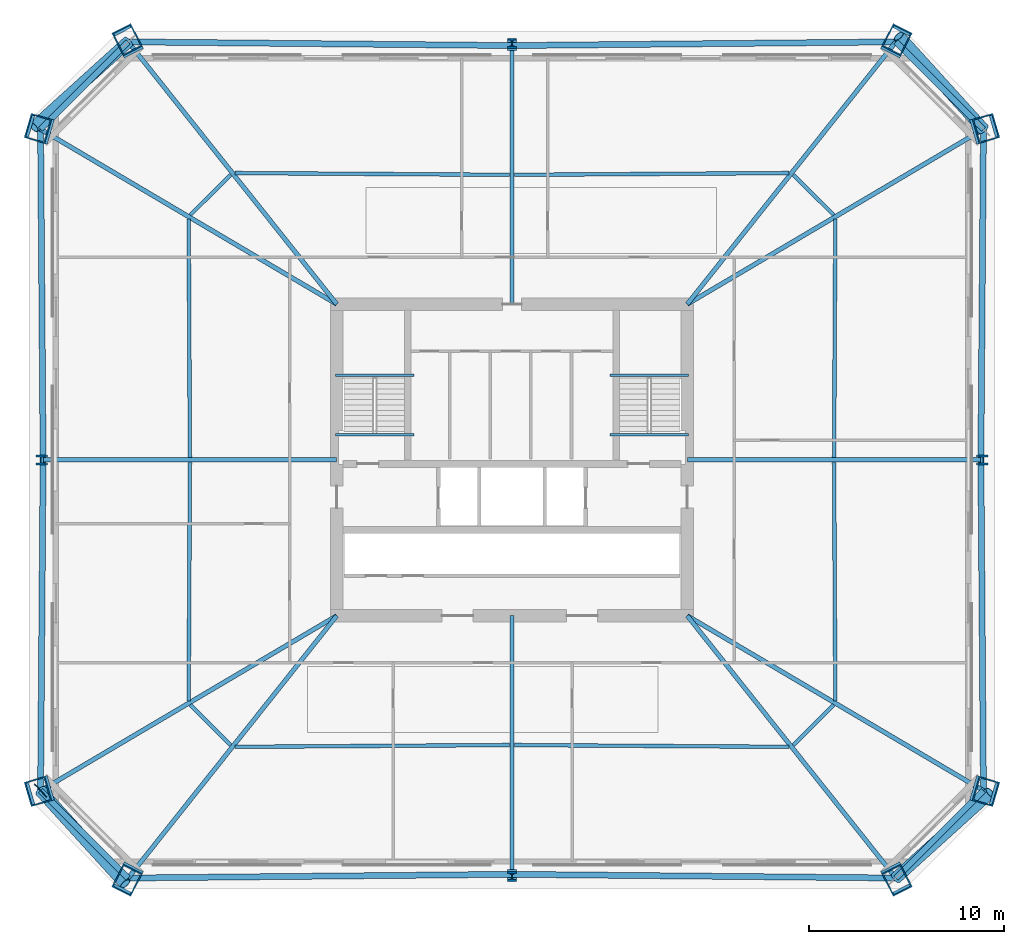
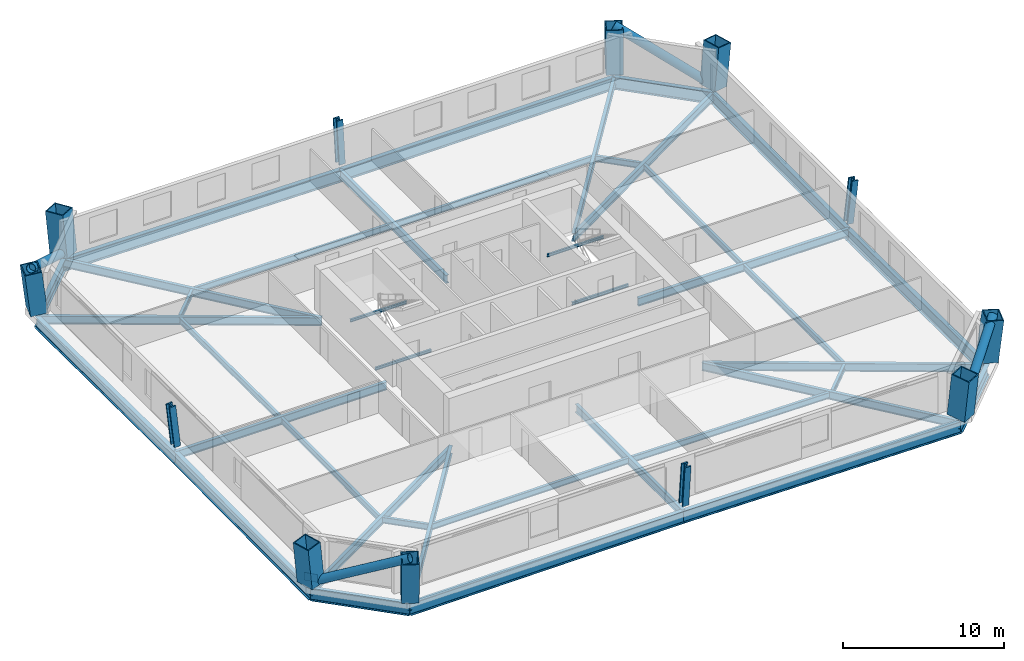
# One storey, part 1 of 7: 40 beams, 12 columns, 4 members, 1 plate.
"""IFC4 building model written with IfcOpenShell, lengths in metres."""

from ifc_helpers import new_model, si_unit, direction, frame, origin, origin_2d, place, context, subcontext, project, spatial, rectangle, hollow_rectangle, hollow_circle, i_section, extrude, material, layer, layer_set, material_profile, profile_set, type_object, element, save


model = new_model("IFC4")

# Units and contexts
model_context = context("Model", 3, precision=1e-05, world=origin(), true_north=direction((0.0, 1.0)))
body_context = subcontext(model_context, "Body", "Model", "MODEL_VIEW")
ifc_project = project(units=[si_unit("LENGTHUNIT", "METRE"), si_unit("AREAUNIT", "SQUARE_METRE"), si_unit("VOLUMEUNIT", "CUBIC_METRE"), si_unit("PLANEANGLEUNIT", "RADIAN"), si_unit("MASSUNIT", "GRAM", prefix="KILO")], contexts=[model_context])

# Site, building, storey
site_placement = place(None, origin())
site = spatial("IfcSite", under=ifc_project, at=site_placement, CompositionType="ELEMENT")
building_placement = place(site_placement, origin())
building = spatial("IfcBuilding", under=site, at=building_placement, Name="Caelvoria Tower", CompositionType="ELEMENT")
storey_placement = place(building_placement, frame((0.0, 0.0, 35.199951171875)))
storey = spatial("IfcBuildingStorey", under=building, at=storey_placement, Name="L08", CompositionType="ELEMENT", Elevation=35.199951171875)

# Columns
ifc_material_1 = material(Name="Structural Steel ASTM A913 Gr.65", Category="steel")
ifc_material_profile_1 = material_profile(ifc_material_1, i_section(OverallWidth=0.43896484375, OverallDepth=0.513916015625, WebThickness=0.059814453125, FlangeThickness=0.096923828125, FilletRadius=0.02490234375, at=origin_2d()), Name="Structural Steel ASTM A913 Gr.65")
ifc_profile_set_1 = profile_set([ifc_material_profile_1], Name="W360X818 - Structural Steel ASTM A913 Gr.65")
column_type_1 = type_object("IfcColumnType", Name="Heavy Frame Column W360X818", PredefinedType="COLUMN", material=ifc_profile_set_1)
column_1_placement = place(storey_placement, frame((46.0, 10.719970703125, 0.0), z_axis=(0.0, -0.094885603902, 0.995488182839), x_axis=(1.0, 0.0, 0.0)))
element("IfcColumn", 1, at=column_1_placement, inside=storey, type_object=column_type_1, Name="Perimeter Megaframe Column L08-P01", PredefinedType="COLUMN", context=body_context, shape_type="SweptSolid", body=[
    extrude(i_section(OverallWidth=0.43896484375, OverallDepth=0.513916015625, WebThickness=0.059814453125, FlangeThickness=0.096923828125, FilletRadius=0.02490234375, at=origin_2d()), origin(), (0.0, 0.0, 1.0), 3.162109375),
])
column_2_placement = place(storey_placement, frame((70.080078125, 32.0, 0.0), z_axis=(0.11045690633, 0.0, 0.993880914317), x_axis=(-0.993880914317, 0.0, 0.11045690633)))
element("IfcColumn", 2, at=column_2_placement, inside=storey, type_object=column_type_1, Name="Perimeter Megaframe Column L08-P04", PredefinedType="COLUMN", context=body_context, shape_type="SweptSolid", body=[
    extrude(i_section(OverallWidth=0.43896484375, OverallDepth=0.513916015625, WebThickness=0.059814453125, FlangeThickness=0.096923828125, FilletRadius=0.02490234375, at=origin_2d()), origin(), (0.0, 0.0, 1.0), 3.167236328125),
])
column_3_placement = place(storey_placement, frame((46.0, 53.280029296875, 0.0), z_axis=(0.0, 0.094885603902, 0.995488182839), x_axis=(-1.0, 0.0, 0.0)))
element("IfcColumn", 3, at=column_3_placement, inside=storey, type_object=column_type_1, Name="Perimeter Megaframe Column L08-P07", PredefinedType="COLUMN", context=body_context, shape_type="SweptSolid", body=[
    extrude(i_section(OverallWidth=0.43896484375, OverallDepth=0.513916015625, WebThickness=0.059814453125, FlangeThickness=0.096923828125, FilletRadius=0.02490234375, at=origin_2d()), origin(), (0.0, 0.0, 1.0), 3.162109375),
])
column_4_placement = place(storey_placement, frame((21.919921875, 32.0, 0.0), z_axis=(-0.11045690633, 0.0, 0.993880914317), x_axis=(0.993880914317, 0.0, 0.11045690633)))
element("IfcColumn", 4, at=column_4_placement, inside=storey, type_object=column_type_1, Name="Perimeter Megaframe Column L08-P10", PredefinedType="COLUMN", context=body_context, shape_type="SweptSolid", body=[
    extrude(i_section(OverallWidth=0.43896484375, OverallDepth=0.513916015625, WebThickness=0.059814453125, FlangeThickness=0.096923828125, FilletRadius=0.02490234375, at=origin_2d()), origin(), (0.0, 0.0, 1.0), 3.167236328125),
])
ifc_material_2 = material(Name="Structural Steel ASTM A572 Gr.50", Category="steel")
ifc_material_profile_2 = material_profile(ifc_material_2, hollow_rectangle(XDim=1.10009765625, YDim=1.300048828125, WallThickness=0.070068359375, at=origin_2d()), Name="Structural Steel ASTM A572 Gr.50")
ifc_profile_set_2 = profile_set([ifc_material_profile_2], Name="BOX1300X1100X70 - Structural Steel ASTM A572 Gr.50")
column_type_2 = type_object("IfcColumnType", Name="Mega Box Column 1300x1100x70", PredefinedType="COLUMN", material=ifc_profile_set_2)
for number, where, z_axis, x_axis, name in (
    (5, (26.287109375, 10.530517578125, 0.0), (-0.047968316961, -0.09439424431, 0.994378583442), (0.891494829719, -0.453030869351, 0.0), "Perimeter Megaframe Column L08-P00"),
    (6, (65.712890625, 10.530517578125, 0.0), (0.047968316961, -0.09439424431, 0.994378583442), (0.891494829719, 0.453030869351, 0.0), "Perimeter Megaframe Column L08-P02"),
):
    element("IfcColumn", number, at=place(storey_placement, frame(where, z_axis=z_axis, x_axis=x_axis)), inside=storey, type_object=column_type_2, Name=name, PredefinedType="COLUMN", context=body_context, shape_type="SweptSolid", body=[
        extrude(hollow_rectangle(XDim=1.10009765625, YDim=1.300048828125, WallThickness=0.070068359375, at=origin_2d()), origin(), (0.0, 0.0, 1.0), 3.165771484375),
    ])
for number, where, z_axis, x_axis, name in (
    (7, (70.210693359375, 15.013427734375, 0.0), (0.10994269781, -0.032281703141, 0.993413556803), (-0.953174231432, 0.279873863329, 0.114584052814), "Perimeter Megaframe Column L08-P03"),
    (8, (70.210693359375, 48.986572265625, 0.0), (0.10994269781, 0.032281703141, 0.993413556803), (-0.953174231432, -0.279873863329, 0.114584052814), "Perimeter Megaframe Column L08-P05"),
):
    element("IfcColumn", number, at=place(storey_placement, frame(where, z_axis=z_axis, x_axis=x_axis)), inside=storey, type_object=column_type_2, Name=name, PredefinedType="COLUMN", context=body_context, shape_type="SweptSolid", body=[
        extrude(hollow_rectangle(XDim=1.10009765625, YDim=1.300048828125, WallThickness=0.070068359375, at=origin_2d()), origin(), (0.0, 0.0, 1.0), 3.168701171875),
    ])
for number, where, z_axis, x_axis, name in (
    (9, (65.712890625, 53.469482421875, 0.0), (0.047968316961, 0.09439424431, 0.994378583442), (-0.891494829719, 0.453030869351, 0.0), "Perimeter Megaframe Column L08-P06"),
    (10, (26.287109375, 53.469482421875, 0.0), (-0.047968316961, 0.09439424431, 0.994378583442), (-0.891494829719, -0.453030869351, 0.0), "Perimeter Megaframe Column L08-P08"),
):
    element("IfcColumn", number, at=place(storey_placement, frame(where, z_axis=z_axis, x_axis=x_axis)), inside=storey, type_object=column_type_2, Name=name, PredefinedType="COLUMN", context=body_context, shape_type="SweptSolid", body=[
        extrude(hollow_rectangle(XDim=1.10009765625, YDim=1.300048828125, WallThickness=0.070068359375, at=origin_2d()), origin(), (0.0, 0.0, 1.0), 3.165771484375),
    ])
for number, where, z_axis, x_axis, name in (
    (11, (21.789306640625, 48.986572265625, 0.0), (-0.10994269781, 0.032281703141, 0.993413556803), (0.953174231432, -0.279873863329, 0.114584052814), "Perimeter Megaframe Column L08-P09"),
    (12, (21.789306640625, 15.013427734375, 0.0), (-0.10994269781, -0.032281703141, 0.993413556803), (0.953174231432, 0.279873863329, 0.114584052814), "Perimeter Megaframe Column L08-P11"),
):
    element("IfcColumn", number, at=place(storey_placement, frame(where, z_axis=z_axis, x_axis=x_axis)), inside=storey, type_object=column_type_2, Name=name, PredefinedType="COLUMN", context=body_context, shape_type="SweptSolid", body=[
        extrude(hollow_rectangle(XDim=1.10009765625, YDim=1.300048828125, WallThickness=0.070068359375, at=origin_2d()), origin(), (0.0, 0.0, 1.0), 3.168701171875),
    ])

# Beams
ifc_material_3 = material(Name="Structural Steel ASTM A992 Gr.50", Category="steel")
ifc_material_profile_3 = material_profile(ifc_material_3, i_section(OverallWidth=0.134033203125, OverallDepth=0.2099609375, WebThickness=0.00634765625, FlangeThickness=0.01025390625, FilletRadius=0.010009765625, at=origin_2d()), Name="Structural Steel ASTM A992 Gr.50")
ifc_profile_set_3 = profile_set([ifc_material_profile_3], Name="W200X31.3 - Structural Steel ASTM A992 Gr.50")
beam_type_1 = type_object("IfcBeamType", Name="Canopy Edge Trim Beam W200X31.3", PredefinedType="BEAM", material=ifc_profile_set_3)
for number, where, z_axis, x_axis, name in (
    (13, (36.929931640625, 36.35009765625, 1.4951171875), (1.0, 0.0, 0.0), (0.0, 1.0, 0.0), "ST-01 Half-Landing Support Beam L08"),
    (14, (36.929931640625, 33.300048828125, -0.304931640625), (1.0, 0.0, 0.0), (0.0, 1.0, 0.0), "ST-01 Floor-Landing Support Beam L08"),
    (15, (51.030029296875, 36.35009765625, 1.4951171875), (1.0, 0.0, 0.0), (0.0, 1.0, 0.0), "ST-02 Half-Landing Support Beam L08"),
    (16, (51.030029296875, 33.300048828125, -0.304931640625), (1.0, 0.0, 0.0), (0.0, 1.0, 0.0), "ST-02 Floor-Landing Support Beam L08"),
):
    element("IfcBeam", number, at=place(storey_placement, frame(where, z_axis=z_axis, x_axis=x_axis)), inside=storey, type_object=beam_type_1, Name=name, PredefinedType="BEAM", context=body_context, shape_type="SweptSolid", body=[
        extrude(i_section(OverallWidth=0.134033203125, OverallDepth=0.2099609375, WebThickness=0.00634765625, FlangeThickness=0.01025390625, FilletRadius=0.010009765625, at=origin_2d()), origin(), (0.0, 0.0, 1.0), 4.0400390625),
    ])

# Members
ifc_material_profile_4 = material_profile(ifc_material_2, hollow_circle(Radius=0.304931640625, WallThickness=0.02490234375, at=origin_2d()), Name="Structural Steel ASTM A572 Gr.50")
ifc_profile_set_4 = profile_set([ifc_material_profile_4], Name="CHS610X25 - Structural Steel ASTM A572 Gr.50")
member_type = type_object("IfcMemberType", Name="Lower Perimeter Mega Brace CHS610X25", PredefinedType="BRACE", material=ifc_profile_set_4)
member_1_placement = place(storey_placement, frame((65.712890625, 10.530517578125, 0.0), z_axis=(0.668209601483, 0.604014351608, 0.43435307244), x_axis=(-0.670573686333, 0.741842928926, 0.0)))
element("IfcMember", 17, at=member_1_placement, inside=storey, type_object=member_type, Name="Perimeter Chamfer Mega Brace L08 SE", PredefinedType="BRACE", context=body_context, shape_type="SweptSolid", body=[
    extrude(hollow_circle(Radius=0.304931640625, WallThickness=0.02490234375, at=origin_2d()), origin(), (0.0, 0.0, 1.0), 7.25244140625),
])
member_2_placement = place(storey_placement, frame((70.210693359375, 48.986572265625, 0.0), z_axis=(-0.604562578868, 0.665185251936, 0.438215322461), x_axis=(-0.7400238406, -0.672580638544, 0.0)))
element("IfcMember", 18, at=member_2_placement, inside=storey, type_object=member_type, Name="Perimeter Chamfer Mega Brace L08 NE", PredefinedType="BRACE", context=body_context, shape_type="SweptSolid", body=[
    extrude(hollow_circle(Radius=0.304931640625, WallThickness=0.02490234375, at=origin_2d()), origin(), (0.0, 0.0, 1.0), 7.1884765625),
])
member_3_placement = place(storey_placement, frame((26.287109375, 53.469482421875, 0.0), z_axis=(-0.668209601483, -0.604014351608, 0.43435307244), x_axis=(0.670573686333, -0.741842928926, 0.0)))
element("IfcMember", 19, at=member_3_placement, inside=storey, type_object=member_type, Name="Perimeter Chamfer Mega Brace L08 NW", PredefinedType="BRACE", context=body_context, shape_type="SweptSolid", body=[
    extrude(hollow_circle(Radius=0.304931640625, WallThickness=0.02490234375, at=origin_2d()), origin(), (0.0, 0.0, 1.0), 7.25244140625),
])
member_4_placement = place(storey_placement, frame((21.789306640625, 15.013427734375, 0.0), z_axis=(0.604562578868, -0.665185251936, 0.438215322461), x_axis=(0.7400238406, 0.672580638544, 0.0)))
element("IfcMember", 20, at=member_4_placement, inside=storey, type_object=member_type, Name="Perimeter Chamfer Mega Brace L08 SW", PredefinedType="BRACE", context=body_context, shape_type="SweptSolid", body=[
    extrude(hollow_circle(Radius=0.304931640625, WallThickness=0.02490234375, at=origin_2d()), origin(), (0.0, 0.0, 1.0), 7.1884765625),
])

# Beams
ifc_material_profile_5 = material_profile(ifc_material_3, i_section(OverallWidth=0.30810546875, OverallDepth=0.927001953125, WebThickness=0.019287109375, FlangeThickness=0.031982421875, FilletRadius=0.02392578125, at=origin_2d()), Name="Structural Steel ASTM A992 Gr.50")
ifc_profile_set_5 = profile_set([ifc_material_profile_5], Name="W920X289 - Structural Steel ASTM A992 Gr.50")
beam_type_2 = type_object("IfcBeamType", Name="Outrigger Tie Girder W920X289", PredefinedType="BEAM", material=ifc_profile_set_5)
for number, where, z_axis, x_axis, name in (
    (21, (26.287109375, 10.530517578125, -0.913330078125), (0.999953821179, 0.009610177415, 0.0), (-0.009610177415, 0.999953821179, 0.0), "Perimeter Spandrel Girder L08-00"),
    (22, (46.0, 10.719970703125, -0.913330078125), (0.999953821179, -0.009610177415, 0.0), (0.009610177415, 0.999953821179, 0.0), "Perimeter Spandrel Girder L08-01"),
):
    element("IfcBeam", number, at=place(storey_placement, frame(where, z_axis=z_axis, x_axis=x_axis)), inside=storey, type_object=beam_type_2, Name=name, PredefinedType="BEAM", context=body_context, shape_type="SweptSolid", body=[
        extrude(i_section(OverallWidth=0.30810546875, OverallDepth=0.927001953125, WebThickness=0.019287109375, FlangeThickness=0.031982421875, FilletRadius=0.02392578125, at=origin_2d()), origin(), (0.0, 0.0, 1.0), 19.7138671875),
    ])
beam_1_placement = place(storey_placement, frame((65.712890625, 10.530517578125, -0.913330078125), z_axis=(0.708278391642, 0.705933226257, 0.0), x_axis=(-0.705933226257, 0.708278391642, 0.0)))
element("IfcBeam", 23, at=beam_1_placement, inside=storey, type_object=beam_type_2, Name="Perimeter Spandrel Girder L08-02", PredefinedType="BEAM", context=body_context, shape_type="SweptSolid", body=[
    extrude(i_section(OverallWidth=0.30810546875, OverallDepth=0.927001953125, WebThickness=0.019287109375, FlangeThickness=0.031982421875, FilletRadius=0.02392578125, at=origin_2d()), origin(), (0.0, 0.0, 1.0), 6.350341796875),
])
for number, where, z_axis, x_axis, name in (
    (24, (70.210693359375, 15.013427734375, -0.913330078125), (-0.007689095313, 0.99997043847, 0.0), (-0.99997043847, -0.007689095313, 0.0), "Perimeter Spandrel Girder L08-03"),
    (25, (70.080078125, 32.0, -0.913330078125), (0.007689095313, 0.99997043847, 0.0), (-0.99997043847, 0.007689095313, 0.0), "Perimeter Spandrel Girder L08-04"),
):
    element("IfcBeam", number, at=place(storey_placement, frame(where, z_axis=z_axis, x_axis=x_axis)), inside=storey, type_object=beam_type_2, Name=name, PredefinedType="BEAM", context=body_context, shape_type="SweptSolid", body=[
        extrude(i_section(OverallWidth=0.30810546875, OverallDepth=0.927001953125, WebThickness=0.019287109375, FlangeThickness=0.031982421875, FilletRadius=0.02392578125, at=origin_2d()), origin(), (0.0, 0.0, 1.0), 16.987060546875),
    ])
beam_2_placement = place(storey_placement, frame((70.210693359375, 48.986572265625, -0.913330078125), z_axis=(-0.708278391642, 0.705933226257, 0.0), x_axis=(-0.705933226257, -0.708278391642, 0.0)))
element("IfcBeam", 26, at=beam_2_placement, inside=storey, type_object=beam_type_2, Name="Perimeter Spandrel Girder L08-05", PredefinedType="BEAM", context=body_context, shape_type="SweptSolid", body=[
    extrude(i_section(OverallWidth=0.30810546875, OverallDepth=0.927001953125, WebThickness=0.019287109375, FlangeThickness=0.031982421875, FilletRadius=0.02392578125, at=origin_2d()), origin(), (0.0, 0.0, 1.0), 6.350341796875),
])
for number, where, z_axis, x_axis, name in (
    (27, (65.712890625, 53.469482421875, -0.913330078125), (-0.999953821179, -0.009610177415, 0.0), (0.009610177415, -0.999953821179, 0.0), "Perimeter Spandrel Girder L08-06"),
    (28, (46.0, 53.280029296875, -0.913330078125), (-0.999953821179, 0.009610177415, 0.0), (-0.009610177415, -0.999953821179, 0.0), "Perimeter Spandrel Girder L08-07"),
):
    element("IfcBeam", number, at=place(storey_placement, frame(where, z_axis=z_axis, x_axis=x_axis)), inside=storey, type_object=beam_type_2, Name=name, PredefinedType="BEAM", context=body_context, shape_type="SweptSolid", body=[
        extrude(i_section(OverallWidth=0.30810546875, OverallDepth=0.927001953125, WebThickness=0.019287109375, FlangeThickness=0.031982421875, FilletRadius=0.02392578125, at=origin_2d()), origin(), (0.0, 0.0, 1.0), 19.7138671875),
    ])
beam_3_placement = place(storey_placement, frame((26.287109375, 53.469482421875, -0.913330078125), z_axis=(-0.708278391642, -0.705933226257, 0.0), x_axis=(0.705933226257, -0.708278391642, 0.0)))
element("IfcBeam", 29, at=beam_3_placement, inside=storey, type_object=beam_type_2, Name="Perimeter Spandrel Girder L08-08", PredefinedType="BEAM", context=body_context, shape_type="SweptSolid", body=[
    extrude(i_section(OverallWidth=0.30810546875, OverallDepth=0.927001953125, WebThickness=0.019287109375, FlangeThickness=0.031982421875, FilletRadius=0.02392578125, at=origin_2d()), origin(), (0.0, 0.0, 1.0), 6.350341796875),
])
for number, where, z_axis, x_axis, name in (
    (30, (21.789306640625, 48.986572265625, -0.913330078125), (0.007689095313, -0.99997043847, 0.0), (0.99997043847, 0.007689095313, 0.0), "Perimeter Spandrel Girder L08-09"),
    (31, (21.919921875, 32.0, -0.913330078125), (-0.007689095313, -0.99997043847, 0.0), (0.99997043847, -0.007689095313, 0.0), "Perimeter Spandrel Girder L08-10"),
):
    element("IfcBeam", number, at=place(storey_placement, frame(where, z_axis=z_axis, x_axis=x_axis)), inside=storey, type_object=beam_type_2, Name=name, PredefinedType="BEAM", context=body_context, shape_type="SweptSolid", body=[
        extrude(i_section(OverallWidth=0.30810546875, OverallDepth=0.927001953125, WebThickness=0.019287109375, FlangeThickness=0.031982421875, FilletRadius=0.02392578125, at=origin_2d()), origin(), (0.0, 0.0, 1.0), 16.987060546875),
    ])
beam_4_placement = place(storey_placement, frame((21.789306640625, 15.013427734375, -0.913330078125), z_axis=(0.708278391642, -0.705933226257, 0.0), x_axis=(0.705933226257, 0.708278391642, 0.0)))
element("IfcBeam", 32, at=beam_4_placement, inside=storey, type_object=beam_type_2, Name="Perimeter Spandrel Girder L08-11", PredefinedType="BEAM", context=body_context, shape_type="SweptSolid", body=[
    extrude(i_section(OverallWidth=0.30810546875, OverallDepth=0.927001953125, WebThickness=0.019287109375, FlangeThickness=0.031982421875, FilletRadius=0.02392578125, at=origin_2d()), origin(), (0.0, 0.0, 1.0), 6.350341796875),
])
ifc_material_profile_6 = material_profile(ifc_material_3, i_section(OverallWidth=0.22900390625, OverallDepth=0.612060546875, WebThickness=0.011962890625, FlangeThickness=0.01953125, FilletRadius=0.01806640625, at=origin_2d()), Name="Structural Steel ASTM A992 Gr.50")
ifc_profile_set_6 = profile_set([ifc_material_profile_6], Name="W610X125 - Structural Steel ASTM A992 Gr.50")
beam_type_3 = type_object("IfcBeamType", Name="Primary Radial Floor Girder W610X125", PredefinedType="BEAM", material=ifc_profile_set_6)
beam_5_placement = place(storey_placement, frame((37.0, 24.0, -0.755859375), z_axis=(-0.622471237323, -0.782642676261, 0.0), x_axis=(0.782642676261, -0.622471237323, 0.0)))
element("IfcBeam", 33, at=beam_5_placement, inside=storey, type_object=beam_type_3, Name="Primary Floor Girder L08-00", PredefinedType="BEAM", context=body_context, shape_type="SweptSolid", body=[
    extrude(i_section(OverallWidth=0.22900390625, OverallDepth=0.612060546875, WebThickness=0.011962890625, FlangeThickness=0.01953125, FilletRadius=0.01806640625, at=origin_2d()), origin(), (0.0, 0.0, 1.0), 17.210205078125),
])
beam_6_placement = place(storey_placement, frame((46.0, 24.0, -0.755859375), z_axis=(0.0, -1.0, 0.0), x_axis=(1.0, 0.0, 0.0)))
element("IfcBeam", 34, at=beam_6_placement, inside=storey, type_object=beam_type_3, Name="Primary Floor Girder L08-01", PredefinedType="BEAM", context=body_context, shape_type="SweptSolid", body=[
    extrude(i_section(OverallWidth=0.22900390625, OverallDepth=0.612060546875, WebThickness=0.011962890625, FlangeThickness=0.01953125, FilletRadius=0.01806640625, at=origin_2d()), origin(), (0.0, 0.0, 1.0), 13.280029296875),
])
beam_7_placement = place(storey_placement, frame((55.0, 24.0, -0.755859375), z_axis=(0.622471237323, -0.782642676261, 0.0), x_axis=(0.782642676261, 0.622471237323, 0.0)))
element("IfcBeam", 35, at=beam_7_placement, inside=storey, type_object=beam_type_3, Name="Primary Floor Girder L08-02", PredefinedType="BEAM", context=body_context, shape_type="SweptSolid", body=[
    extrude(i_section(OverallWidth=0.22900390625, OverallDepth=0.612060546875, WebThickness=0.011962890625, FlangeThickness=0.01953125, FilletRadius=0.01806640625, at=origin_2d()), origin(), (0.0, 0.0, 1.0), 17.210205078125),
])
beam_8_placement = place(storey_placement, frame((55.0, 24.0, -0.755859375), z_axis=(0.860965316265, -0.508663665095, 0.0), x_axis=(0.508663665095, 0.860965316265, 0.0)))
element("IfcBeam", 36, at=beam_8_placement, inside=storey, type_object=beam_type_3, Name="Primary Floor Girder L08-03", PredefinedType="BEAM", context=body_context, shape_type="SweptSolid", body=[
    extrude(i_section(OverallWidth=0.22900390625, OverallDepth=0.612060546875, WebThickness=0.011962890625, FlangeThickness=0.01953125, FilletRadius=0.01806640625, at=origin_2d()), origin(), (0.0, 0.0, 1.0), 17.6669921875),
])
beam_9_placement = place(storey_placement, frame((55.0, 32.0, -0.755859375), z_axis=(1.0, 0.0, 0.0), x_axis=(0.0, 1.0, 0.0)))
element("IfcBeam", 37, at=beam_9_placement, inside=storey, type_object=beam_type_3, Name="Primary Floor Girder L08-04", PredefinedType="BEAM", context=body_context, shape_type="SweptSolid", body=[
    extrude(i_section(OverallWidth=0.22900390625, OverallDepth=0.612060546875, WebThickness=0.011962890625, FlangeThickness=0.01953125, FilletRadius=0.01806640625, at=origin_2d()), origin(), (0.0, 0.0, 1.0), 15.080078125),
])
beam_10_placement = place(storey_placement, frame((55.0, 40.0, -0.755859375), z_axis=(0.860965316265, 0.508663665095, 0.0), x_axis=(-0.508663665095, 0.860965316265, 0.0)))
element("IfcBeam", 38, at=beam_10_placement, inside=storey, type_object=beam_type_3, Name="Primary Floor Girder L08-05", PredefinedType="BEAM", context=body_context, shape_type="SweptSolid", body=[
    extrude(i_section(OverallWidth=0.22900390625, OverallDepth=0.612060546875, WebThickness=0.011962890625, FlangeThickness=0.01953125, FilletRadius=0.01806640625, at=origin_2d()), origin(), (0.0, 0.0, 1.0), 17.6669921875),
])
beam_11_placement = place(storey_placement, frame((55.0, 40.0, -0.755859375), z_axis=(0.622471237323, 0.782642676261, 0.0), x_axis=(-0.782642676261, 0.622471237323, 0.0)))
element("IfcBeam", 39, at=beam_11_placement, inside=storey, type_object=beam_type_3, Name="Primary Floor Girder L08-06", PredefinedType="BEAM", context=body_context, shape_type="SweptSolid", body=[
    extrude(i_section(OverallWidth=0.22900390625, OverallDepth=0.612060546875, WebThickness=0.011962890625, FlangeThickness=0.01953125, FilletRadius=0.01806640625, at=origin_2d()), origin(), (0.0, 0.0, 1.0), 17.210205078125),
])
beam_12_placement = place(storey_placement, frame((46.0, 40.0, -0.755859375), z_axis=(0.0, 1.0, 0.0), x_axis=(-1.0, 0.0, 0.0)))
element("IfcBeam", 40, at=beam_12_placement, inside=storey, type_object=beam_type_3, Name="Primary Floor Girder L08-07", PredefinedType="BEAM", context=body_context, shape_type="SweptSolid", body=[
    extrude(i_section(OverallWidth=0.22900390625, OverallDepth=0.612060546875, WebThickness=0.011962890625, FlangeThickness=0.01953125, FilletRadius=0.01806640625, at=origin_2d()), origin(), (0.0, 0.0, 1.0), 13.280029296875),
])
beam_13_placement = place(storey_placement, frame((37.0, 40.0, -0.755859375), z_axis=(-0.622471237323, 0.782642676261, 0.0), x_axis=(-0.782642676261, -0.622471237323, 0.0)))
element("IfcBeam", 41, at=beam_13_placement, inside=storey, type_object=beam_type_3, Name="Primary Floor Girder L08-08", PredefinedType="BEAM", context=body_context, shape_type="SweptSolid", body=[
    extrude(i_section(OverallWidth=0.22900390625, OverallDepth=0.612060546875, WebThickness=0.011962890625, FlangeThickness=0.01953125, FilletRadius=0.01806640625, at=origin_2d()), origin(), (0.0, 0.0, 1.0), 17.210205078125),
])
beam_14_placement = place(storey_placement, frame((37.0, 40.0, -0.755859375), z_axis=(-0.860965316265, 0.508663665095, 0.0), x_axis=(-0.508663665095, -0.860965316265, 0.0)))
element("IfcBeam", 42, at=beam_14_placement, inside=storey, type_object=beam_type_3, Name="Primary Floor Girder L08-09", PredefinedType="BEAM", context=body_context, shape_type="SweptSolid", body=[
    extrude(i_section(OverallWidth=0.22900390625, OverallDepth=0.612060546875, WebThickness=0.011962890625, FlangeThickness=0.01953125, FilletRadius=0.01806640625, at=origin_2d()), origin(), (0.0, 0.0, 1.0), 17.6669921875),
])
beam_15_placement = place(storey_placement, frame((37.0, 32.0, -0.755859375), z_axis=(-1.0, 0.0, 0.0), x_axis=(0.0, -1.0, 0.0)))
element("IfcBeam", 43, at=beam_15_placement, inside=storey, type_object=beam_type_3, Name="Primary Floor Girder L08-10", PredefinedType="BEAM", context=body_context, shape_type="SweptSolid", body=[
    extrude(i_section(OverallWidth=0.22900390625, OverallDepth=0.612060546875, WebThickness=0.011962890625, FlangeThickness=0.01953125, FilletRadius=0.01806640625, at=origin_2d()), origin(), (0.0, 0.0, 1.0), 15.080078125),
])
beam_16_placement = place(storey_placement, frame((37.0, 24.0, -0.755859375), z_axis=(-0.860965316265, -0.508663665095, 0.0), x_axis=(0.508663665095, -0.860965316265, 0.0)))
element("IfcBeam", 44, at=beam_16_placement, inside=storey, type_object=beam_type_3, Name="Primary Floor Girder L08-11", PredefinedType="BEAM", context=body_context, shape_type="SweptSolid", body=[
    extrude(i_section(OverallWidth=0.22900390625, OverallDepth=0.612060546875, WebThickness=0.011962890625, FlangeThickness=0.01953125, FilletRadius=0.01806640625, at=origin_2d()), origin(), (0.0, 0.0, 1.0), 17.6669921875),
])
ifc_material_profile_7 = material_profile(ifc_material_3, i_section(OverallWidth=0.18994140625, OverallDepth=0.45703125, WebThickness=0.009033203125, FlangeThickness=0.014404296875, FilletRadius=0.014892578125, at=origin_2d()), Name="Structural Steel ASTM A992 Gr.50")
ifc_profile_set_7 = profile_set([ifc_material_profile_7], Name="W460X74 - Structural Steel ASTM A992 Gr.50")
beam_type_4 = type_object("IfcBeamType", Name="Secondary Floor Beam W460X74", PredefinedType="BEAM", material=ifc_profile_set_7)
for number, where, z_axis, x_axis, name in (
    (45, (31.7685546875, 17.26611328125, -0.678466796875), (0.999978260442, 0.006593833805, 0.0), (-0.006593833805, 0.999978260442, 0.0), "Secondary Floor Beam L08-00"),
    (46, (46.125, 17.359130859375, -0.678466796875), (0.999978260442, -0.006593833805, 0.0), (0.006593833805, 0.999978260442, 0.0), "Secondary Floor Beam L08-01"),
):
    element("IfcBeam", number, at=place(storey_placement, frame(where, z_axis=z_axis, x_axis=x_axis)), inside=storey, type_object=beam_type_4, Name=name, PredefinedType="BEAM", context=body_context, shape_type="SweptSolid", body=[
        extrude(i_section(OverallWidth=0.18994140625, OverallDepth=0.45703125, WebThickness=0.009033203125, FlangeThickness=0.014404296875, FilletRadius=0.014892578125, at=origin_2d()), origin(), (0.0, 0.0, 1.0), 14.106689453125),
    ])
beam_17_placement = place(storey_placement, frame((60.445068359375, 17.353515625, -0.678466796875), z_axis=(0.708232579267, 0.705979187841, 0.0), x_axis=(-0.705979187841, 0.708232579267, 0.0)))
element("IfcBeam", 47, at=beam_17_placement, inside=storey, type_object=beam_type_4, Name="Secondary Floor Beam L08-02", PredefinedType="BEAM", context=body_context, shape_type="SweptSolid", body=[
    extrude(i_section(OverallWidth=0.18994140625, OverallDepth=0.45703125, WebThickness=0.009033203125, FlangeThickness=0.014404296875, FilletRadius=0.014892578125, at=origin_2d()), origin(), (0.0, 0.0, 1.0), 2.92529296875),
])
beam_18_placement = place(storey_placement, frame((62.6044921875, 19.6318359375, -0.678466796875), z_axis=(-0.005204523911, 0.999986456374, 0.0), x_axis=(-0.999986456374, -0.005204523911, 0.0)))
element("IfcBeam", 48, at=beam_18_placement, inside=storey, type_object=beam_type_4, Name="Secondary Floor Beam L08-03", PredefinedType="BEAM", context=body_context, shape_type="SweptSolid", body=[
    extrude(i_section(OverallWidth=0.18994140625, OverallDepth=0.45703125, WebThickness=0.009033203125, FlangeThickness=0.014404296875, FilletRadius=0.014892578125, at=origin_2d()), origin(), (0.0, 0.0, 1.0), 12.243408203125),
])
beam_19_placement = place(storey_placement, frame((62.540771484375, 32.125, -0.678466796875), z_axis=(0.005204420133, 0.999986456914, 0.0), x_axis=(-0.999986456914, 0.005204420133, 0.0)))
element("IfcBeam", 49, at=beam_19_placement, inside=storey, type_object=beam_type_4, Name="Secondary Floor Beam L08-04", PredefinedType="BEAM", context=body_context, shape_type="SweptSolid", body=[
    extrude(i_section(OverallWidth=0.18994140625, OverallDepth=0.45703125, WebThickness=0.009033203125, FlangeThickness=0.014404296875, FilletRadius=0.014892578125, at=origin_2d()), origin(), (0.0, 0.0, 1.0), 12.24365234375),
])
beam_20_placement = place(storey_placement, frame((62.516845703125, 44.58154296875, -0.678466796875), z_axis=(-0.708274309747, 0.705937321688, 0.0), x_axis=(-0.705937321688, -0.708274309747, 0.0)))
element("IfcBeam", 50, at=beam_20_placement, inside=storey, type_object=beam_type_4, Name="Secondary Floor Beam L08-05", PredefinedType="BEAM", context=body_context, shape_type="SweptSolid", body=[
    extrude(i_section(OverallWidth=0.18994140625, OverallDepth=0.45703125, WebThickness=0.009033203125, FlangeThickness=0.014404296875, FilletRadius=0.014892578125, at=origin_2d()), origin(), (0.0, 0.0, 1.0), 2.925048828125),
])
for number, where, z_axis, x_axis, name in (
    (51, (60.2314453125, 46.73388671875, -0.678466796875), (-0.999978260442, -0.006593833805, 0.0), (0.006593833805, -0.999978260442, 0.0), "Secondary Floor Beam L08-06"),
    (52, (45.875, 46.640869140625, -0.678466796875), (-0.999978260442, 0.006593833805, 0.0), (-0.006593833805, -0.999978260442, 0.0), "Secondary Floor Beam L08-07"),
):
    element("IfcBeam", number, at=place(storey_placement, frame(where, z_axis=z_axis, x_axis=x_axis)), inside=storey, type_object=beam_type_4, Name=name, PredefinedType="BEAM", context=body_context, shape_type="SweptSolid", body=[
        extrude(i_section(OverallWidth=0.18994140625, OverallDepth=0.45703125, WebThickness=0.009033203125, FlangeThickness=0.014404296875, FilletRadius=0.014892578125, at=origin_2d()), origin(), (0.0, 0.0, 1.0), 14.106689453125),
    ])
beam_21_placement = place(storey_placement, frame((31.554931640625, 46.646484375, -0.678466796875), z_axis=(-0.708274309747, -0.705937321688, 0.0), x_axis=(0.705937321688, -0.708274309747, 0.0)))
element("IfcBeam", 53, at=beam_21_placement, inside=storey, type_object=beam_type_4, Name="Secondary Floor Beam L08-08", PredefinedType="BEAM", context=body_context, shape_type="SweptSolid", body=[
    extrude(i_section(OverallWidth=0.18994140625, OverallDepth=0.45703125, WebThickness=0.009033203125, FlangeThickness=0.014404296875, FilletRadius=0.014892578125, at=origin_2d()), origin(), (0.0, 0.0, 1.0), 2.925048828125),
])
beam_22_placement = place(storey_placement, frame((29.3955078125, 44.368408203125, -0.678466796875), z_axis=(0.005204420133, -0.999986456914, 0.0), x_axis=(0.999986456914, 0.005204420133, 0.0)))
element("IfcBeam", 54, at=beam_22_placement, inside=storey, type_object=beam_type_4, Name="Secondary Floor Beam L08-09", PredefinedType="BEAM", context=body_context, shape_type="SweptSolid", body=[
    extrude(i_section(OverallWidth=0.18994140625, OverallDepth=0.45703125, WebThickness=0.009033203125, FlangeThickness=0.014404296875, FilletRadius=0.014892578125, at=origin_2d()), origin(), (0.0, 0.0, 1.0), 12.24365234375),
])
beam_23_placement = place(storey_placement, frame((29.459228515625, 31.875, -0.678466796875), z_axis=(-0.005204523911, -0.999986456374, 0.0), x_axis=(0.999986456374, -0.005204523911, 0.0)))
element("IfcBeam", 55, at=beam_23_placement, inside=storey, type_object=beam_type_4, Name="Secondary Floor Beam L08-10", PredefinedType="BEAM", context=body_context, shape_type="SweptSolid", body=[
    extrude(i_section(OverallWidth=0.18994140625, OverallDepth=0.45703125, WebThickness=0.009033203125, FlangeThickness=0.014404296875, FilletRadius=0.014892578125, at=origin_2d()), origin(), (0.0, 0.0, 1.0), 12.243408203125),
])
beam_24_placement = place(storey_placement, frame((29.483154296875, 19.418701171875, -0.678466796875), z_axis=(0.708232579267, -0.705979187841, 0.0), x_axis=(0.705979187841, 0.708232579267, 0.0)))
element("IfcBeam", 56, at=beam_24_placement, inside=storey, type_object=beam_type_4, Name="Secondary Floor Beam L08-11", PredefinedType="BEAM", context=body_context, shape_type="SweptSolid", body=[
    extrude(i_section(OverallWidth=0.18994140625, OverallDepth=0.45703125, WebThickness=0.009033203125, FlangeThickness=0.014404296875, FilletRadius=0.014892578125, at=origin_2d()), origin(), (0.0, 0.0, 1.0), 2.92529296875),
])

# Plate
ifc_layer = layer(ifc_material_2, 0.0400390625, Name="Structural Steel ASTM A572 Gr.50")
ifc_layer_set = layer_set([ifc_layer], Name="Megaframe Node Gusset Plate 900x600x40 - Structural Steel ASTM A572 Gr.50")
plate_type = type_object("IfcPlateType", Name="Megaframe Node Gusset Plate 900x600x40", PredefinedType="USERDEFINED", material=ifc_layer_set)
plate_placement = place(storey_placement, frame((21.789306640625, 15.013427734375, 0.02001953125), z_axis=(0.0, 0.0, 1.0), x_axis=(0.672579947069, -0.740024469055, 0.0)))
element("IfcPlate", 57, at=plate_placement, inside=storey, type_object=plate_type, Name="Chamfer Mega Brace Gusset L08 SW", ObjectType="GUSSET_PLATE", PredefinedType="USERDEFINED", context=body_context, shape_type="SweptSolid", body=[
    extrude(rectangle(XDim=0.89990234375, YDim=0.0400390625, at=origin_2d()), origin(), (0.0, 0.0, 1.0), 0.60009765625),
])

save(model, "model.ifc")
